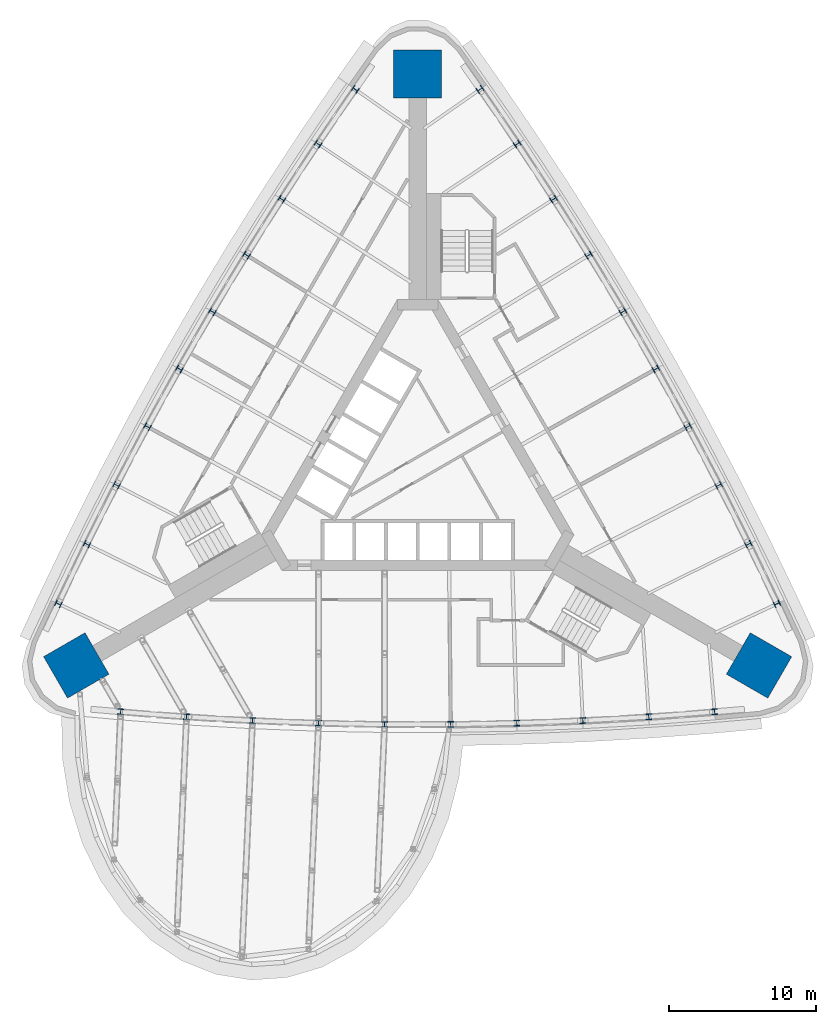
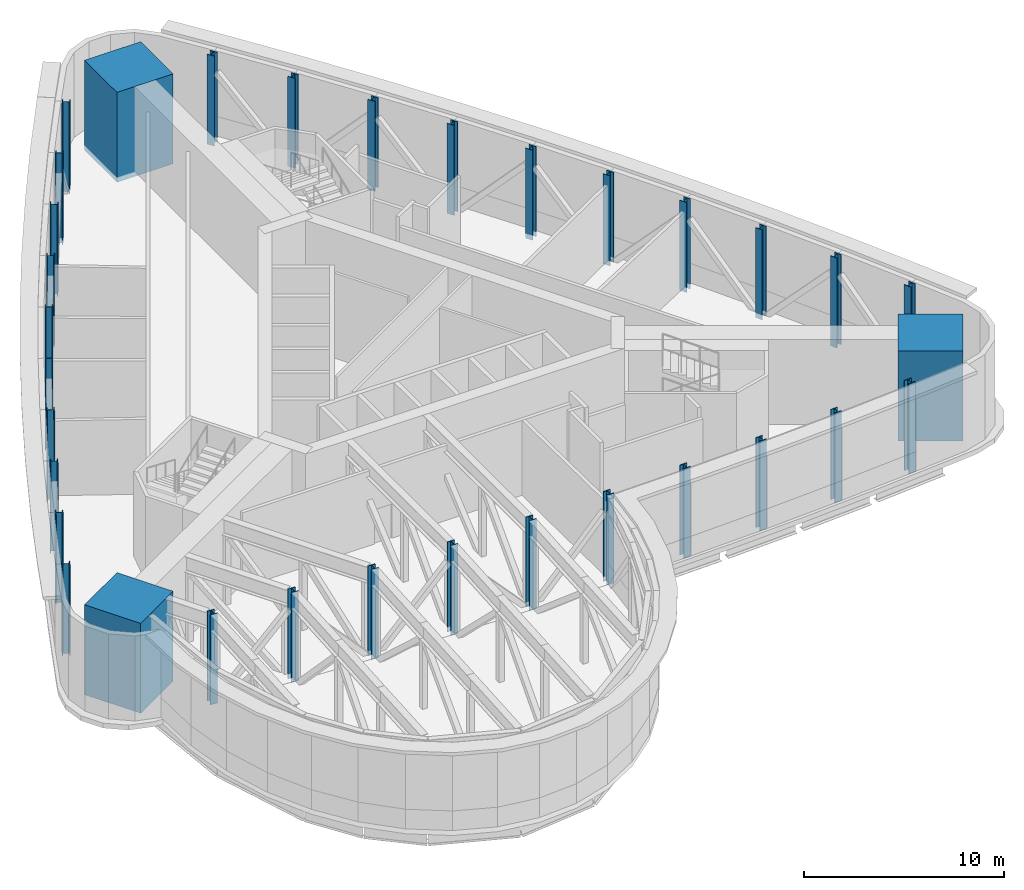
# One storey, part 1 of 10: 33 columns.
"""IFC4 building model written with IfcOpenShell, lengths in metres."""

from ifc_helpers import new_model, si_unit, direction, frame, origin, origin_2d, place, context, subcontext, project, spatial, rectangle, i_section, extrude, material, material_profile, profile_set, type_object, element, save


model = new_model("IFC4")

# Units and contexts
model_context = context("Model", 3, precision=1e-05, world=origin(), true_north=direction((0.0, 1.0)))
body_context = subcontext(model_context, "Body", "Model", "MODEL_VIEW")
ifc_project = project(units=[si_unit("LENGTHUNIT", "METRE"), si_unit("AREAUNIT", "SQUARE_METRE"), si_unit("VOLUMEUNIT", "CUBIC_METRE"), si_unit("PLANEANGLEUNIT", "RADIAN"), si_unit("MASSUNIT", "GRAM", prefix="KILO")], contexts=[model_context])

# Site, building, storey
site_placement = place(None, origin())
site = spatial("IfcSite", under=ifc_project, at=site_placement, CompositionType="ELEMENT")
building_placement = place(site_placement, origin())
building = spatial("IfcBuilding", under=site, at=building_placement, Name="Noor Cloister Tower", CompositionType="ELEMENT")
storey_placement = place(building_placement, frame((0.0, 0.0, 52.800048828125)))
storey = spatial("IfcBuildingStorey", under=building, at=storey_placement, Name="L13", CompositionType="ELEMENT", Elevation=52.800048828125)

# Columns
ifc_material_1 = material(Name="Steel ASTM A992 Gr 50", Category="steel")
ifc_material_profile_1 = material_profile(ifc_material_1, i_section(OverallWidth=0.404052734375, OverallDepth=0.406005859375, WebThickness=0.027099609375, FlangeThickness=0.043701171875, FilletRadius=0.01513671875, at=origin_2d()), Name="W360x347")
ifc_profile_set_1 = profile_set([ifc_material_profile_1], Name="Steel ASTM A992 Gr 50")
column_type_1 = type_object("IfcColumnType", Name="Column W360x347", PredefinedType="COLUMN", material=ifc_profile_set_1)
for number, where, z_axis, x_axis, name in (
    (1, (-4.23291015625, 25.7431640625, -0.300048828125), (0.0, 0.0, 1.0), (-0.572483892702, -0.81991596679, 0.0), "Column NW 01 L13"),
    (2, (-6.767578125, 22.037841796875, -0.300048828125), (0.0, 0.0, 1.0), (-0.556723105522, -0.830698130356, 0.0), "Column NW 02 L13"),
    (3, (-9.231201171875, 18.284912109375, -0.300048828125), (0.0, 0.0, 1.0), (-0.540759305107, -0.84117737365, 0.0), "Column NW 03 L13"),
    (4, (-11.622802734375, 14.4853515625, -0.300048828125), (0.0, 0.0, 1.0), (-0.524598312775, -0.851349875335, 0.0), "Column NW 04 L13"),
    (5, (-13.94140625, 10.64111328125, -0.300048828125), (0.0, 0.0, 1.0), (-0.508246021753, -0.861211925935, 0.0), "Column NW 05 L13"),
    (6, (-16.18603515625, 6.753173828125, -0.300048828125), (0.0, 0.0, 1.0), (-0.491708395025, -0.870759929178, 0.0), "Column NW 06 L13"),
    (7, (-18.356201171875, 2.822998046875, -0.300048828125), (0.0, 0.0, 1.0), (-0.474991463162, -0.879990403313, 0.0), "Column NW 07 L13"),
    (8, (-20.45068359375, -1.14794921875, -0.300048828125), (0.0, 0.0, 1.0), (-0.458101322116, -0.88889998238, 0.0), "Column NW 08 L13"),
    (9, (-22.46923828125, -5.157958984375, -0.300048828125), (0.0, 0.0, 1.0), (-0.441044131004, -0.897485417434, 0.0), "Column NW 09 L13"),
    (10, (-24.41064453125, -9.205810546875, -0.300048828125), (0.0, 0.0, 1.0), (-0.423826109857, -0.905743577732, 0.0), "Column NW 10 L13"),
    (11, (-20.177978515625, -16.537353515625, -0.300048828125), (0.0, 0.0, 1.0), (0.996310002559, -0.085827610942, 0.0), "Column S 01 L13"),
    (12, (-15.70166015625, -16.8798828125, -0.300048828125), (0.0, 0.0, 1.0), (0.997767236526, -0.066787287078, 0.0), "Column S 02 L13"),
    (13, (-11.219482421875, -17.136962890625, -0.300048828125), (0.0, 0.0, 1.0), (0.998860627223, -0.047722608731, 0.0), "Column S 03 L13"),
    (14, (-6.7333984375, -17.308349609375, -0.300048828125), (0.0, 0.0, 1.0), (0.999589775937, -0.028640527978, 0.0), "Column S 04 L13"),
    (15, (-2.24462890625, -17.39404296875, -0.300048828125), (0.0, 0.0, 1.0), (0.999954416778, -0.009548003243, 0.0), "Column S 05 L13"),
    (16, (2.24462890625, -17.39404296875, -0.300048828125), (0.0, 0.0, 1.0), (0.999954416778, 0.009548003243, 0.0), "Column S 06 L13"),
    (17, (6.7333984375, -17.308349609375, -0.300048828125), (0.0, 0.0, 1.0), (0.999589775937, 0.028640527978, 0.0), "Column S 07 L13"),
    (18, (11.219482421875, -17.136962890625, -0.300048828125), (0.0, 0.0, 1.0), (0.998860627223, 0.047722608731, 0.0), "Column S 08 L13"),
    (19, (15.70166015625, -16.8798828125, -0.300048828125), (0.0, 0.0, 1.0), (0.997767236526, 0.066787287078, 0.0), "Column S 09 L13"),
    (20, (20.177978515625, -16.537353515625, -0.300048828125), (0.0, 0.0, 1.0), (0.996310002559, 0.085827610942, 0.0), "Column S 10 L13"),
    (21, (24.41064453125, -9.205810546875, -0.300048828125), (0.0, 0.0, 1.0), (-0.423826109857, 0.905743577732, 0.0), "Column NE 01 L13"),
    (22, (22.46923828125, -5.157958984375, -0.300048828125), (0.0, 0.0, 1.0), (-0.441044131004, 0.897485417434, 0.0), "Column NE 02 L13"),
    (23, (20.45068359375, -1.14794921875, -0.300048828125), (0.0, 0.0, 1.0), (-0.458101322116, 0.88889998238, 0.0), "Column NE 03 L13"),
    (24, (18.356201171875, 2.822998046875, -0.300048828125), (0.0, 0.0, 1.0), (-0.474991463162, 0.879990403313, 0.0), "Column NE 04 L13"),
    (25, (16.18603515625, 6.753173828125, -0.300048828125), (0.0, 0.0, 1.0), (-0.491708395025, 0.870759929178, 0.0), "Column NE 05 L13"),
    (26, (13.94140625, 10.64111328125, -0.300048828125), (0.0, 0.0, 1.0), (-0.508246021753, 0.861211925935, 0.0), "Column NE 06 L13"),
    (27, (11.622802734375, 14.4853515625, -0.300048828125), (0.0, 0.0, 1.0), (-0.524598312775, 0.851349875335, 0.0), "Column NE 07 L13"),
    (28, (9.231201171875, 18.284912109375, -0.300048828125), (0.0, 0.0, 1.0), (-0.540759305107, 0.84117737365, 0.0), "Column NE 08 L13"),
    (29, (6.767578125, 22.037841796875, -0.300048828125), (0.0, 0.0, 1.0), (-0.556723105522, 0.830698130356, 0.0), "Column NE 09 L13"),
    (30, (4.23291015625, 25.7431640625, -0.300048828125), (0.0, 0.0, 1.0), (-0.572483892702, 0.81991596679, 0.0), "Column NE 10 L13"),
):
    element("IfcColumn", number, at=place(storey_placement, frame(where, z_axis=z_axis, x_axis=x_axis)), inside=storey, type_object=column_type_1, Name=name, PredefinedType="COLUMN", context=body_context, shape_type="SweptSolid", body=[
        extrude(i_section(OverallWidth=0.404052734375, OverallDepth=0.406005859375, WebThickness=0.027099609375, FlangeThickness=0.043701171875, FilletRadius=0.01513671875, at=origin_2d()), origin(), (0.0, 0.0, 1.0), 5.5),
    ])
ifc_material_2 = material(Name="Concrete C80/95", Category="concrete")
ifc_material_profile_2 = material_profile(ifc_material_2, rectangle(XDim=3.25, YDim=3.25, at=origin_2d()), Name="RC 3250x3250")
ifc_profile_set_2 = profile_set([ifc_material_profile_2], Name="Concrete C80/95")
column_type_2 = type_object("IfcColumnType", Name="Corner pier 3250 x 3250 C80/95", PredefinedType="COLUMN", material=ifc_profile_set_2)
for number, where, z_axis, x_axis, name in (
    (31, (0.0, 26.780029296875, -0.300048828125), (0.0, 0.0, 1.0), (0.0, 1.0, 0.0), "Corner pier N L13"),
    (32, (-23.192138671875, -13.389892578125, -0.300048828125), (0.0, 0.0, 1.0), (-0.866025403784, -0.5, 0.0), "Corner pier SW L13"),
    (33, (23.192138671875, -13.389892578125, -0.300048828125), (0.0, 0.0, 1.0), (0.866025403784, -0.5, 0.0), "Corner pier SE L13"),
):
    element("IfcColumn", number, at=place(storey_placement, frame(where, z_axis=z_axis, x_axis=x_axis)), inside=storey, type_object=column_type_2, Name=name, PredefinedType="COLUMN", context=body_context, shape_type="SweptSolid", body=[
        extrude(rectangle(XDim=3.25, YDim=3.25, at=origin_2d()), origin(), (0.0, 0.0, 1.0), 5.5),
    ])

save(model, "model.ifc")
